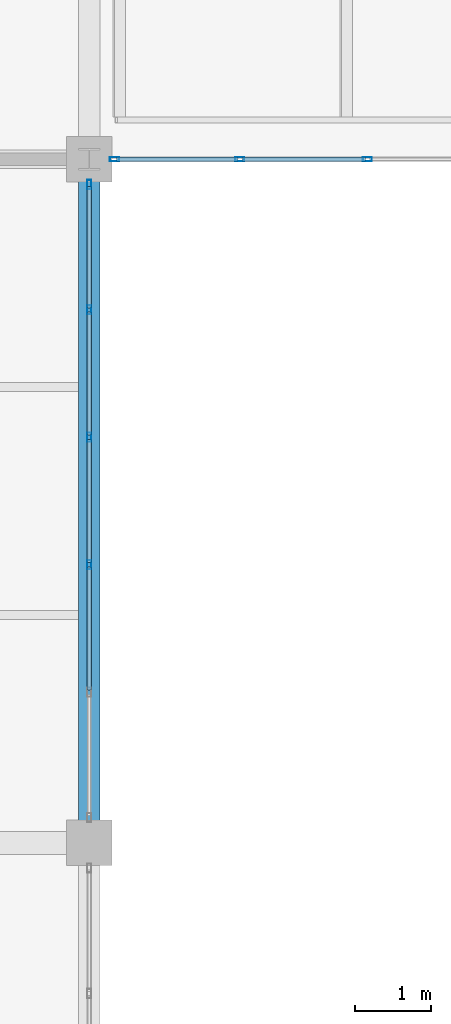
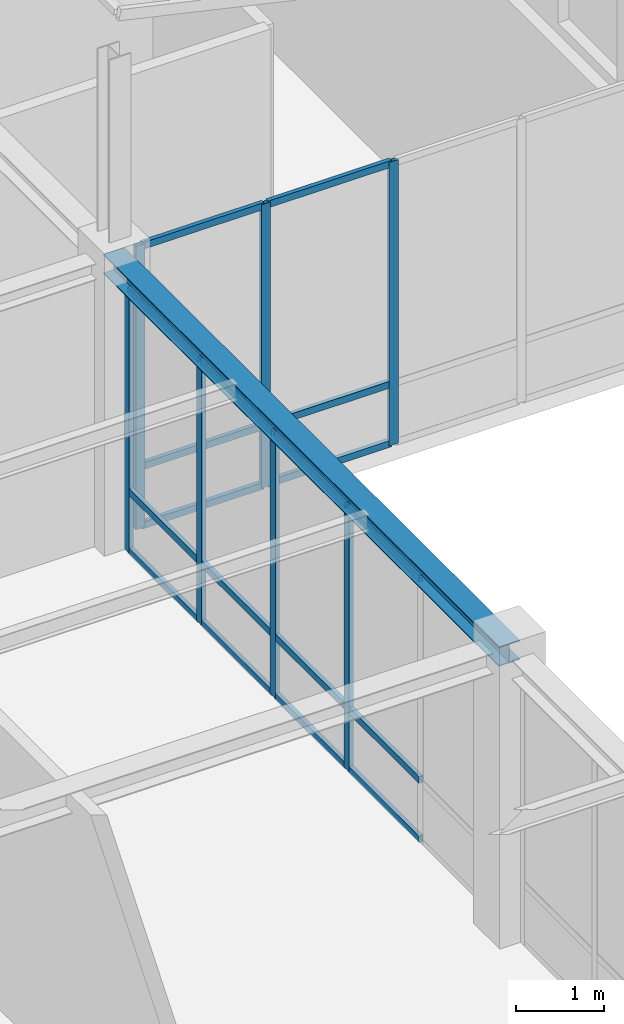
# One storey, part 35 of 97: 25 members, 1 beam, 2 elements without a shape of their own.
"""IFC4 building model written with IfcOpenShell, lengths in metres."""

from ifc_helpers import new_model, si_unit, direction, frame, origin, origin_2d, place, context, subcontext, project, spatial, hollow_rectangle, i_section, extrude, material, material_profile, profile_set, type_object, element, aggregate, save


model = new_model("IFC4")

# Units and contexts
model_context = context("Model", 3, precision=1e-05, world=origin(), true_north=direction((0.0, 1.0)))
body_context = subcontext(model_context, "Body", "Model", "MODEL_VIEW")
ifc_project = project(units=[si_unit("LENGTHUNIT", "METRE"), si_unit("AREAUNIT", "SQUARE_METRE"), si_unit("VOLUMEUNIT", "CUBIC_METRE"), si_unit("PLANEANGLEUNIT", "RADIAN"), si_unit("MASSUNIT", "GRAM", prefix="KILO")], contexts=[model_context])

# Site, building, storey
site_placement = place(None, origin())
site = spatial("IfcSite", under=ifc_project, at=site_placement, CompositionType="ELEMENT")
building_placement = place(site_placement, origin())
building = spatial("IfcBuilding", under=site, at=building_placement, Name="Lykobir Media Centre", CompositionType="ELEMENT")
storey_placement = place(building_placement, frame((0.0, 0.0, 23.39990234375)))
storey = spatial("IfcBuildingStorey", under=building, at=storey_placement, Name="L05", CompositionType="ELEMENT", Elevation=23.39990234375)

# Beam
ifc_material_1 = material(Name="Steel S355", Category="steel")
ifc_material_profile_1 = material_profile(ifc_material_1, i_section(OverallWidth=0.280029296875, OverallDepth=0.27001953125, WebThickness=0.008056640625, FlangeThickness=0.012939453125, at=origin_2d()), Name="HEA 280")
ifc_profile_set_1 = profile_set([ifc_material_profile_1], Name="Steel S355")
beam_type = type_object("IfcBeamType", Name="BM-HEA280", PredefinedType="BEAM", material=ifc_profile_set_1)
beam_placement = place(storey_placement, frame((36.0, 54.0, 3.822998046875), z_axis=(0.0, 1.0, 0.0), x_axis=(-1.0, 0.0, 0.0)))
element("IfcBeam", 1, at=beam_placement, inside=storey, type_object=beam_type, Name="Beam BM-L05-0360-0540-0360-0630-2728", PredefinedType="BEAM", context=body_context, shape_type="SweptSolid", body=[
    extrude(i_section(OverallWidth=0.280029296875, OverallDepth=0.27001953125, WebThickness=0.008056640625, FlangeThickness=0.012939453125, at=origin_2d()), origin(), (0.0, 0.0, 1.0), 9.0),
])

# Curtain wall, members
ifc_material_2 = material(Name="Anodized Aluminium AW-6060", Category="aluminium")
curtain_wall_type = type_object("IfcCurtainWallType", Name="CW-COURT-B", PredefinedType="NOTDEFINED", material=ifc_material_2)
curtain_wall_1_placement = place(storey_placement, origin())
curtain_wall_1 = element("IfcCurtainWall", 2, at=curtain_wall_1_placement, inside=storey, type_object=curtain_wall_type, Name="Curtain wall CW2-L05-0198", PredefinedType="NOTDEFINED")
ifc_material_profile_2 = material_profile(ifc_material_2, hollow_rectangle(XDim=0.054931640625, YDim=0.1201171875, WallThickness=0.003173828125, at=origin_2d()), Name="ALU MULLION 55x120")
ifc_profile_set_2 = profile_set([ifc_material_profile_2], Name="Anodized Aluminium AW-6060")
member_type_1 = type_object("IfcMemberType", Name="CWM-120", PredefinedType="MULLION", material=ifc_profile_set_2)
member_1_placement = place(storey_placement, frame((36.0, 62.66748046875, 0.0), z_axis=(0.0, 0.0, 1.0), x_axis=(1.0, 0.0, 0.0)))
member_1 = element("IfcMember", 3, at=member_1_placement, type_object=member_type_1, Name="CW2-L05-0198 mullion 1", PredefinedType="MULLION", context=body_context, shape_type="SweptSolid", body=[
    extrude(hollow_rectangle(XDim=0.054931640625, YDim=0.1201171875, WallThickness=0.003173828125, at=origin_2d()), origin(), (0.0, 0.0, 1.0), 3.673095703125),
])
member_2_placement = place(storey_placement, frame((36.0, 61.01708984375, 0.0), z_axis=(0.0, 0.0, 1.0), x_axis=(1.0, 0.0, 0.0)))
member_2 = element("IfcMember", 4, at=member_2_placement, type_object=member_type_1, Name="CW2-L05-0198 mullion 2", PredefinedType="MULLION", context=body_context, shape_type="SweptSolid", body=[
    extrude(hollow_rectangle(XDim=0.054931640625, YDim=0.1201171875, WallThickness=0.003173828125, at=origin_2d()), origin(), (0.0, 0.0, 1.0), 3.673095703125),
])
member_3_placement = place(storey_placement, frame((36.0, 59.339111328125, 0.0), z_axis=(0.0, 0.0, 1.0), x_axis=(1.0, 0.0, 0.0)))
member_3 = element("IfcMember", 5, at=member_3_placement, type_object=member_type_1, Name="CW2-L05-0198 mullion 3", PredefinedType="MULLION", context=body_context, shape_type="SweptSolid", body=[
    extrude(hollow_rectangle(XDim=0.054931640625, YDim=0.1201171875, WallThickness=0.003173828125, at=origin_2d()), origin(), (0.0, 0.0, 1.0), 3.673095703125),
])
member_4_placement = place(storey_placement, frame((36.0, 57.660888671875, 0.0), z_axis=(0.0, 0.0, 1.0), x_axis=(1.0, 0.0, 0.0)))
member_4 = element("IfcMember", 6, at=member_4_placement, type_object=member_type_1, Name="CW2-L05-0198 mullion 4", PredefinedType="MULLION", context=body_context, shape_type="SweptSolid", body=[
    extrude(hollow_rectangle(XDim=0.054931640625, YDim=0.1201171875, WallThickness=0.003173828125, at=origin_2d()), origin(), (0.0, 0.0, 1.0), 3.673095703125),
])

curtain_wall_2_placement = place(storey_placement, origin())
curtain_wall_2 = element("IfcCurtainWall", 7, at=curtain_wall_2_placement, inside=storey, type_object=curtain_wall_type, Name="Curtain wall CW2-L05-0199", PredefinedType="NOTDEFINED")
member_5_placement = place(storey_placement, frame((39.660888671875, 63.0, 0.0), z_axis=(0.0, 0.0, 1.0), x_axis=(0.0, -1.0, 0.0)))
member_5 = element("IfcMember", 8, at=member_5_placement, type_object=member_type_1, Name="CW2-L05-0199 mullion 4", PredefinedType="MULLION", context=body_context, shape_type="SweptSolid", body=[
    extrude(hollow_rectangle(XDim=0.054931640625, YDim=0.1201171875, WallThickness=0.003173828125, at=origin_2d()), origin(), (0.0, 0.0, 1.0), 3.940185546875),
])
member_6_placement = place(storey_placement, frame((37.98291015625, 63.0, 0.0), z_axis=(0.0, 0.0, 1.0), x_axis=(0.0, -1.0, 0.0)))
member_6 = element("IfcMember", 9, at=member_6_placement, type_object=member_type_1, Name="CW2-L05-0199 mullion 5", PredefinedType="MULLION", context=body_context, shape_type="SweptSolid", body=[
    extrude(hollow_rectangle(XDim=0.054931640625, YDim=0.1201171875, WallThickness=0.003173828125, at=origin_2d()), origin(), (0.0, 0.0, 1.0), 3.940185546875),
])
member_7_placement = place(storey_placement, frame((36.33251953125, 63.0, 0.0), z_axis=(0.0, 0.0, 1.0), x_axis=(0.0, -1.0, 0.0)))
member_7 = element("IfcMember", 10, at=member_7_placement, type_object=member_type_1, Name="CW2-L05-0199 mullion 6", PredefinedType="MULLION", context=body_context, shape_type="SweptSolid", body=[
    extrude(hollow_rectangle(XDim=0.054931640625, YDim=0.1201171875, WallThickness=0.003173828125, at=origin_2d()), origin(), (0.0, 0.0, 1.0), 3.940185546875),
])

# Member
ifc_material_profile_3 = material_profile(ifc_material_2, hollow_rectangle(XDim=0.054931640625, YDim=0.094970703125, WallThickness=0.0029296875, at=origin_2d()), Name="ALU TRANSOM 55x95")
ifc_profile_set_3 = profile_set([ifc_material_profile_3], Name="Anodized Aluminium AW-6060")
member_type_2 = type_object("IfcMemberType", Name="CWT-095", PredefinedType="USERDEFINED", material=ifc_profile_set_3)
member_8_placement = place(storey_placement, frame((36.0, 62.639892578125, 0.027587890625), z_axis=(0.0, -1.0, 0.0), x_axis=(1.0, 0.0, 0.0)))
member_8 = element("IfcMember", 11, at=member_8_placement, type_object=member_type_2, Name="CW2-L05-0198 transom 1.1", ObjectType="TRANSOM", PredefinedType="USERDEFINED", context=body_context, shape_type="SweptSolid", body=[
    extrude(hollow_rectangle(XDim=0.054931640625, YDim=0.094970703125, WallThickness=0.0029296875, at=origin_2d()), origin(), (0.0, 0.0, 1.0), 1.595458984375),
])

member_9_placement = place(storey_placement, frame((36.0, 62.639892578125, 0.85009765625), z_axis=(0.0, -1.0, 0.0), x_axis=(1.0, 0.0, 0.0)))
member_9 = element("IfcMember", 12, at=member_9_placement, type_object=member_type_2, Name="CW2-L05-0198 transom 1.2", ObjectType="TRANSOM", PredefinedType="USERDEFINED", context=body_context, shape_type="SweptSolid", body=[
    extrude(hollow_rectangle(XDim=0.054931640625, YDim=0.094970703125, WallThickness=0.0029296875, at=origin_2d()), origin(), (0.0, 0.0, 1.0), 1.595458984375),
])

member_10_placement = place(storey_placement, frame((36.0, 62.639892578125, 3.6455078125), z_axis=(0.0, -1.0, 0.0), x_axis=(1.0, 0.0, 0.0)))
member_10 = element("IfcMember", 13, at=member_10_placement, type_object=member_type_2, Name="CW2-L05-0198 transom 1.3", ObjectType="TRANSOM", PredefinedType="USERDEFINED", context=body_context, shape_type="SweptSolid", body=[
    extrude(hollow_rectangle(XDim=0.054931640625, YDim=0.094970703125, WallThickness=0.0029296875, at=origin_2d()), origin(), (0.0, 0.0, 1.0), 1.595458984375),
])

member_11_placement = place(storey_placement, frame((36.0, 60.989501953125, 0.027587890625), z_axis=(0.0, -1.0, 0.0), x_axis=(1.0, 0.0, 0.0)))
member_11 = element("IfcMember", 14, at=member_11_placement, type_object=member_type_2, Name="CW2-L05-0198 transom 2.1", ObjectType="TRANSOM", PredefinedType="USERDEFINED", context=body_context, shape_type="SweptSolid", body=[
    extrude(hollow_rectangle(XDim=0.054931640625, YDim=0.094970703125, WallThickness=0.0029296875, at=origin_2d()), origin(), (0.0, 0.0, 1.0), 1.623046875),
])

member_12_placement = place(storey_placement, frame((36.0, 60.989501953125, 0.85009765625), z_axis=(0.0, -1.0, 0.0), x_axis=(1.0, 0.0, 0.0)))
member_12 = element("IfcMember", 15, at=member_12_placement, type_object=member_type_2, Name="CW2-L05-0198 transom 2.2", ObjectType="TRANSOM", PredefinedType="USERDEFINED", context=body_context, shape_type="SweptSolid", body=[
    extrude(hollow_rectangle(XDim=0.054931640625, YDim=0.094970703125, WallThickness=0.0029296875, at=origin_2d()), origin(), (0.0, 0.0, 1.0), 1.623046875),
])

member_13_placement = place(storey_placement, frame((36.0, 60.989501953125, 3.6455078125), z_axis=(0.0, -1.0, 0.0), x_axis=(1.0, 0.0, 0.0)))
member_13 = element("IfcMember", 16, at=member_13_placement, type_object=member_type_2, Name="CW2-L05-0198 transom 2.3", ObjectType="TRANSOM", PredefinedType="USERDEFINED", context=body_context, shape_type="SweptSolid", body=[
    extrude(hollow_rectangle(XDim=0.054931640625, YDim=0.094970703125, WallThickness=0.0029296875, at=origin_2d()), origin(), (0.0, 0.0, 1.0), 1.623046875),
])

member_14_placement = place(storey_placement, frame((36.0, 59.3115234375, 0.027587890625), z_axis=(0.0, -1.0, 0.0), x_axis=(1.0, 0.0, 0.0)))
member_14 = element("IfcMember", 17, at=member_14_placement, type_object=member_type_2, Name="CW2-L05-0198 transom 3.1", ObjectType="TRANSOM", PredefinedType="USERDEFINED", context=body_context, shape_type="SweptSolid", body=[
    extrude(hollow_rectangle(XDim=0.054931640625, YDim=0.094970703125, WallThickness=0.0029296875, at=origin_2d()), origin(), (0.0, 0.0, 1.0), 1.623046875),
])

member_15_placement = place(storey_placement, frame((36.0, 59.3115234375, 0.85009765625), z_axis=(0.0, -1.0, 0.0), x_axis=(1.0, 0.0, 0.0)))
member_15 = element("IfcMember", 18, at=member_15_placement, type_object=member_type_2, Name="CW2-L05-0198 transom 3.2", ObjectType="TRANSOM", PredefinedType="USERDEFINED", context=body_context, shape_type="SweptSolid", body=[
    extrude(hollow_rectangle(XDim=0.054931640625, YDim=0.094970703125, WallThickness=0.0029296875, at=origin_2d()), origin(), (0.0, 0.0, 1.0), 1.623046875),
])

member_16_placement = place(storey_placement, frame((36.0, 59.3115234375, 3.6455078125), z_axis=(0.0, -1.0, 0.0), x_axis=(1.0, 0.0, 0.0)))
member_16 = element("IfcMember", 19, at=member_16_placement, type_object=member_type_2, Name="CW2-L05-0198 transom 3.3", ObjectType="TRANSOM", PredefinedType="USERDEFINED", context=body_context, shape_type="SweptSolid", body=[
    extrude(hollow_rectangle(XDim=0.054931640625, YDim=0.094970703125, WallThickness=0.0029296875, at=origin_2d()), origin(), (0.0, 0.0, 1.0), 1.623046875),
])

member_17_placement = place(storey_placement, frame((36.0, 57.633544921875, 0.027587890625), z_axis=(0.0, -1.0, 0.0), x_axis=(1.0, 0.0, 0.0)))
member_17 = element("IfcMember", 20, at=member_17_placement, type_object=member_type_2, Name="CW2-L05-0198 transom 4.1", ObjectType="TRANSOM", PredefinedType="USERDEFINED", context=body_context, shape_type="SweptSolid", body=[
    extrude(hollow_rectangle(XDim=0.054931640625, YDim=0.094970703125, WallThickness=0.0029296875, at=origin_2d()), origin(), (0.0, 0.0, 1.0), 1.623046875),
])

member_18_placement = place(storey_placement, frame((36.0, 57.633544921875, 0.85009765625), z_axis=(0.0, -1.0, 0.0), x_axis=(1.0, 0.0, 0.0)))
member_18 = element("IfcMember", 21, at=member_18_placement, type_object=member_type_2, Name="CW2-L05-0198 transom 4.2", ObjectType="TRANSOM", PredefinedType="USERDEFINED", context=body_context, shape_type="SweptSolid", body=[
    extrude(hollow_rectangle(XDim=0.054931640625, YDim=0.094970703125, WallThickness=0.0029296875, at=origin_2d()), origin(), (0.0, 0.0, 1.0), 1.623046875),
])

member_19_placement = place(storey_placement, frame((36.0, 57.633544921875, 3.6455078125), z_axis=(0.0, -1.0, 0.0), x_axis=(1.0, 0.0, 0.0)))
member_19 = element("IfcMember", 22, at=member_19_placement, type_object=member_type_2, Name="CW2-L05-0198 transom 4.3", ObjectType="TRANSOM", PredefinedType="USERDEFINED", context=body_context, shape_type="SweptSolid", body=[
    extrude(hollow_rectangle(XDim=0.054931640625, YDim=0.094970703125, WallThickness=0.0029296875, at=origin_2d()), origin(), (0.0, 0.0, 1.0), 1.623046875),
])

aggregate(curtain_wall_1, [member_1, member_2, member_3, member_4, member_8, member_9, member_10, member_11, member_12, member_13, member_14, member_15, member_16, member_17, member_18, member_19])

member_20_placement = place(storey_placement, frame((39.633544921875, 63.0, 0.027587890625), z_axis=(-1.0, 0.0, 0.0), x_axis=(0.0, -1.0, 0.0)))
member_20 = element("IfcMember", 23, at=member_20_placement, type_object=member_type_2, Name="CW2-L05-0199 transom 4.1", ObjectType="TRANSOM", PredefinedType="USERDEFINED", context=body_context, shape_type="SweptSolid", body=[
    extrude(hollow_rectangle(XDim=0.054931640625, YDim=0.094970703125, WallThickness=0.0029296875, at=origin_2d()), origin(), (0.0, 0.0, 1.0), 1.623046875),
])

member_21_placement = place(storey_placement, frame((39.633544921875, 63.0, 0.85009765625), z_axis=(-1.0, 0.0, 0.0), x_axis=(0.0, -1.0, 0.0)))
member_21 = element("IfcMember", 24, at=member_21_placement, type_object=member_type_2, Name="CW2-L05-0199 transom 4.2", ObjectType="TRANSOM", PredefinedType="USERDEFINED", context=body_context, shape_type="SweptSolid", body=[
    extrude(hollow_rectangle(XDim=0.054931640625, YDim=0.094970703125, WallThickness=0.0029296875, at=origin_2d()), origin(), (0.0, 0.0, 1.0), 1.623046875),
])

member_22_placement = place(storey_placement, frame((39.633544921875, 63.0, 3.91259765625), z_axis=(-1.0, 0.0, 0.0), x_axis=(0.0, -1.0, 0.0)))
member_22 = element("IfcMember", 25, at=member_22_placement, type_object=member_type_2, Name="CW2-L05-0199 transom 4.3", ObjectType="TRANSOM", PredefinedType="USERDEFINED", context=body_context, shape_type="SweptSolid", body=[
    extrude(hollow_rectangle(XDim=0.054931640625, YDim=0.094970703125, WallThickness=0.0029296875, at=origin_2d()), origin(), (0.0, 0.0, 1.0), 1.623046875),
])

member_23_placement = place(storey_placement, frame((37.95556640625, 63.0, 0.027587890625), z_axis=(-1.0, 0.0, 0.0), x_axis=(0.0, -1.0, 0.0)))
member_23 = element("IfcMember", 26, at=member_23_placement, type_object=member_type_2, Name="CW2-L05-0199 transom 5.1", ObjectType="TRANSOM", PredefinedType="USERDEFINED", context=body_context, shape_type="SweptSolid", body=[
    extrude(hollow_rectangle(XDim=0.054931640625, YDim=0.094970703125, WallThickness=0.0029296875, at=origin_2d()), origin(), (0.0, 0.0, 1.0), 1.595458984375),
])

member_24_placement = place(storey_placement, frame((37.95556640625, 63.0, 0.85009765625), z_axis=(-1.0, 0.0, 0.0), x_axis=(0.0, -1.0, 0.0)))
member_24 = element("IfcMember", 27, at=member_24_placement, type_object=member_type_2, Name="CW2-L05-0199 transom 5.2", ObjectType="TRANSOM", PredefinedType="USERDEFINED", context=body_context, shape_type="SweptSolid", body=[
    extrude(hollow_rectangle(XDim=0.054931640625, YDim=0.094970703125, WallThickness=0.0029296875, at=origin_2d()), origin(), (0.0, 0.0, 1.0), 1.595458984375),
])

member_25_placement = place(storey_placement, frame((37.95556640625, 63.0, 3.91259765625), z_axis=(-1.0, 0.0, 0.0), x_axis=(0.0, -1.0, 0.0)))
member_25 = element("IfcMember", 28, at=member_25_placement, type_object=member_type_2, Name="CW2-L05-0199 transom 5.3", ObjectType="TRANSOM", PredefinedType="USERDEFINED", context=body_context, shape_type="SweptSolid", body=[
    extrude(hollow_rectangle(XDim=0.054931640625, YDim=0.094970703125, WallThickness=0.0029296875, at=origin_2d()), origin(), (0.0, 0.0, 1.0), 1.595458984375),
])

aggregate(curtain_wall_2, [member_5, member_6, member_7, member_20, member_21, member_22, member_23, member_24, member_25])

save(model, "model.ifc")
